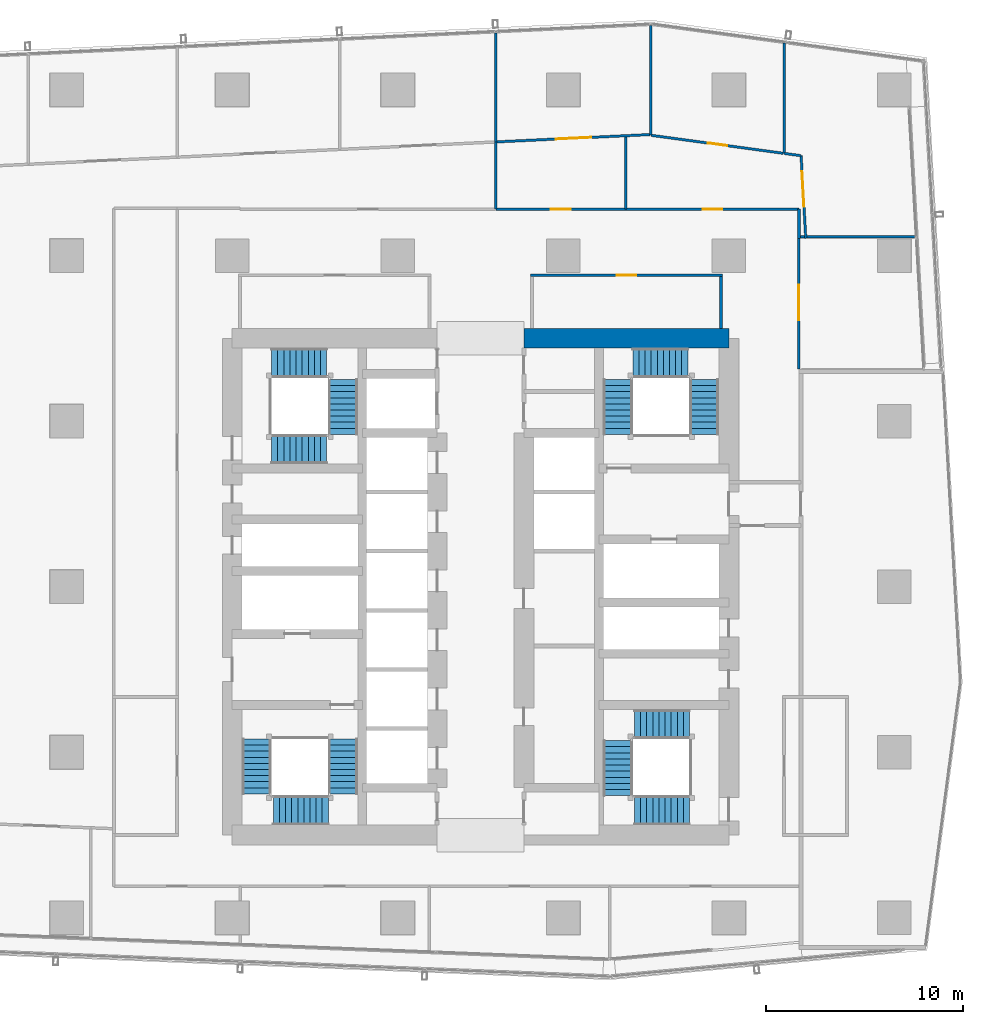
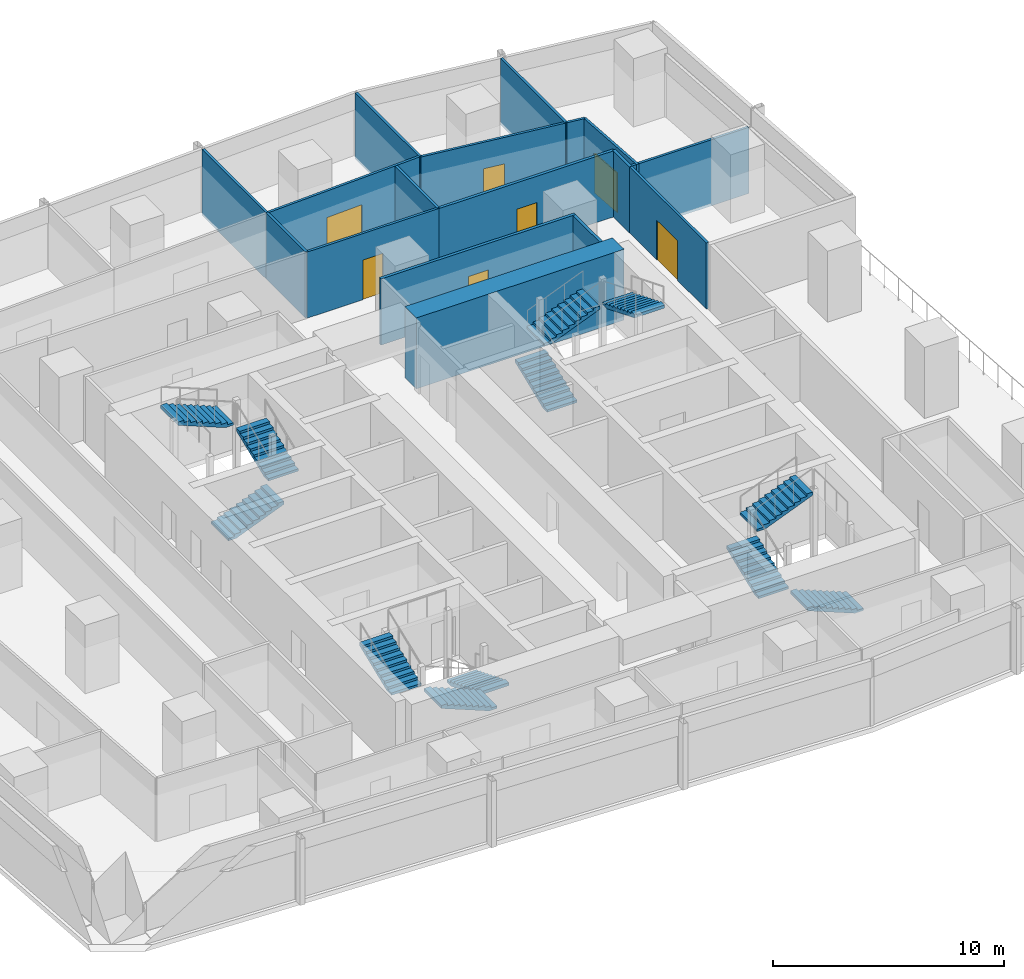
# One storey, part 27 of 34: 17 walls, 12 stair flights, 7 doors, 7 openings, 4 elements without a shape of their own.
"""IFC4 building model written with IfcOpenShell, lengths in metres."""

from ifc_helpers import new_model, si_unit, direction, frame, frame_2d, origin, place, context, subcontext, project, spatial, polyline, rectangle, outline, extrude, material, layer, layer_set, type_object, element, fill, aggregate, save


model = new_model("IFC4")

# Units and contexts
model_context = context("Model", 3, precision=1e-05, world=origin(), true_north=direction((0.0, 1.0)))
body_context = subcontext(model_context, "Body", "Model", "MODEL_VIEW")
ifc_project = project(units=[si_unit("LENGTHUNIT", "METRE"), si_unit("AREAUNIT", "SQUARE_METRE"), si_unit("VOLUMEUNIT", "CUBIC_METRE"), si_unit("PLANEANGLEUNIT", "RADIAN"), si_unit("MASSUNIT", "GRAM", prefix="KILO")], contexts=[model_context])

# Site, building, storey
site_placement = place(None, origin())
site = spatial("IfcSite", under=ifc_project, at=site_placement, CompositionType="ELEMENT")
building_placement = place(site_placement, origin())
building = spatial("IfcBuilding", under=site, at=building_placement, Name="Rekha Terrace Tower", CompositionType="ELEMENT")
storey_placement = place(building_placement, frame((0.0, 0.0, 176.449951171875)))
storey = spatial("IfcBuildingStorey", under=building, at=storey_placement, Name="L44", CompositionType="ELEMENT", Elevation=176.449951171875)

# Wall
ifc_material_1 = material(Name="Concrete M60", Category="concrete")
ifc_layer_1 = layer(ifc_material_1, 1.0)
ifc_layer_set_1 = layer_set([ifc_layer_1], Name="Concrete M60")
wall_type_1 = type_object("IfcWallType", Name="SW3 1000 core outer shear wall", PredefinedType="SHEAR", material=ifc_layer_set_1)
wall_1_placement = place(storey_placement, frame((40.0, 46.199951171875, 0.0), z_axis=(0.0, 0.0, 1.0), x_axis=(1.0, 0.0, 0.0)))
element("IfcWall", 1, at=wall_1_placement, inside=storey, type_object=wall_type_1, Name="Core wall N2 L44", PredefinedType="SHEAR", context=body_context, shape_type="SweptSolid", body=[
    extrude(rectangle(XDim=10.39990234375, YDim=1.0, at=frame_2d((5.199951171875, 0.0))), origin(), (0.0, 0.0, 1.0), 3.75),
])

# Wall, opening, door
ifc_material_2 = material(Name="Concrete block masonry, 1 hour", Category="masonry")
ifc_layer_2 = layer(ifc_material_2, 0.14990234375)
ifc_layer_set_2 = layer_set([ifc_layer_2], Name="Concrete block masonry, 1 hour")
wall_type_2 = type_object("IfcWallType", Name="WP2 150 tenancy partition", PredefinedType="PARTITIONING", material=ifc_layer_set_2)
wall_2_placement = place(storey_placement, frame((40.324951171875, 49.39990234375, 0.0), z_axis=(0.0, 0.0, 1.0), x_axis=(1.0, 0.0, 0.0)))
wall_2 = element("IfcWall", 2, at=wall_2_placement, inside=storey, type_object=wall_type_2, Name="Women's WC wall L44", PredefinedType="PARTITIONING", context=body_context, shape_type="SweptSolid", body=[
    extrude(rectangle(XDim=9.75, YDim=0.14990234375, at=frame_2d((4.875, 0.0))), origin(), (0.0, 0.0, 1.0), 3.5),
])
opening_1_placement = place(wall_2_placement, frame((4.375, 0.0, 0.0)))
opening_1 = element("IfcOpeningElement", 3, at=opening_1_placement, cuts=wall_2, Name="Opening D3", PredefinedType="OPENING", context=body_context, shape_type="SweptSolid", body=[
    extrude(rectangle(XDim=1.0, YDim=2.10009765625, at=frame_2d((0.5, 1.050048828125))), frame((0.0, 0.0849609375, 0.0), z_axis=(0.0, -1.0, 0.0), x_axis=(1.0, 0.0, 0.0)), (0.0, 0.0, 1.0), 0.169921875),
])
ifc_material_3 = material(Name="Laminated timber fire door", Category="wood")
door_type_1 = type_object("IfcDoorType", Name="D3 1000x2100 WC door", OperationType="SINGLE_SWING_LEFT", PredefinedType="DOOR", material=ifc_material_3)
door_1_placement = place(opening_1_placement, origin())
door_1 = element("IfcDoor", 4, at=door_1_placement, inside=storey, type_object=door_type_1, Name="Door women's wc L44", OperationType="SINGLE_SWING_LEFT", OverallHeight=2.10009765625, OverallWidth=1.0, PredefinedType="DOOR", context=body_context, shape_type="SweptSolid", body=[
    extrude(rectangle(XDim=1.0, YDim=2.10009765625, at=frame_2d((0.5, 1.050048828125))), frame((0.0, 0.02490234375, 0.0), z_axis=(0.0, -1.0, 0.0), x_axis=(1.0, 0.0, 0.0)), (0.0, 0.0, 1.0), 0.050048828125),
])
fill(opening_1, door_1)

# Walls
wall_3_placement = place(storey_placement, frame((50.0, 46.699951171875, 0.0), z_axis=(0.0, 0.0, 1.0), x_axis=(0.0, 1.0, 0.0)))
element("IfcWall", 5, at=wall_3_placement, inside=storey, type_object=wall_type_2, Name="Women's WC wall L44", PredefinedType="PARTITIONING", context=body_context, shape_type="SweptSolid", body=[
    extrude(rectangle(XDim=2.625, YDim=0.14990234375, at=frame_2d((1.3125, 0.0))), origin(), (0.0, 0.0, 1.0), 3.5),
])
wall_4_placement = place(storey_placement, frame((53.955078125, 51.27587890625, 0.0), z_axis=(0.0, 0.0, 1.0), x_axis=(0.0, 1.0, 0.0)))
element("IfcWall", 6, at=wall_4_placement, inside=storey, type_object=wall_type_2, Name="Partition L44-O1", PredefinedType="PARTITIONING", context=body_context, shape_type="SweptSolid", body=[
    extrude(rectangle(XDim=1.47412109375, YDim=0.14990234375, at=frame_2d((0.737060546875, 0.0))), origin(), (0.0, 0.0, 1.0), 3.5),
])

# Wall, opening, door
wall_5_placement = place(storey_placement, frame((53.955078125, 52.75, 0.0), z_axis=(0.0, 0.0, 1.0), x_axis=(-1.0, 0.0, 0.0)))
wall_5 = element("IfcWall", 7, at=wall_5_placement, inside=storey, type_object=wall_type_2, Name="Partition L44-O1", PredefinedType="PARTITIONING", context=body_context, shape_type="SweptSolid", body=[
    extrude(rectangle(XDim=8.7841796875, YDim=0.14990234375, at=frame_2d((4.39208984375, 0.0))), origin(), (0.0, 0.0, 1.0), 3.5),
])
opening_2_placement = place(wall_5_placement, frame((3.89208984375, 0.0, 0.0)))
opening_2 = element("IfcOpeningElement", 8, at=opening_2_placement, cuts=wall_5, Name="Opening D9", PredefinedType="OPENING", context=body_context, shape_type="SweptSolid", body=[
    extrude(rectangle(XDim=1.0, YDim=2.10009765625, at=frame_2d((0.5, 1.050048828125))), frame((0.0, 0.0849609375, 0.0), z_axis=(0.0, -1.0, 0.0), x_axis=(1.0, 0.0, 0.0)), (0.0, 0.0, 1.0), 0.169921875),
])
ifc_material_4 = material(Name="Timber fire door", Category="wood")
door_type_2 = type_object("IfcDoorType", Name="D9 1000x2100 office door", OperationType="SINGLE_SWING_LEFT", PredefinedType="DOOR", material=ifc_material_4)
door_2_placement = place(opening_2_placement, origin())
door_2 = element("IfcDoor", 9, at=door_2_placement, inside=storey, type_object=door_type_2, Name="Door open-plan office L44", OperationType="SINGLE_SWING_LEFT", OverallHeight=2.10009765625, OverallWidth=1.0, PredefinedType="DOOR", context=body_context, shape_type="SweptSolid", body=[
    extrude(rectangle(XDim=1.0, YDim=2.10009765625, at=frame_2d((0.5, 1.050048828125))), frame((0.0, 0.02490234375, 0.0), z_axis=(0.0, -1.0, 0.0), x_axis=(1.0, 0.0, 0.0)), (0.0, 0.0, 1.0), 0.050048828125),
])
fill(opening_2, door_2)

ifc_material_5 = material(Name="Two layers of fire-rated gypsum board each side on steel studs, acoustic quilt, 1 hour", Category="steel")
ifc_layer_3 = layer(ifc_material_5, 0.125)
ifc_layer_set_3 = layer_set([ifc_layer_3], Name="Two layers of fire-rated gypsum board each side on steel studs, acoustic quilt, 1 hour")
wall_type_3 = type_object("IfcWallType", Name="WP3 125 office partition", PredefinedType="PARTITIONING", material=ifc_layer_set_3)
wall_6_placement = place(storey_placement, frame((53.955078125, 44.638916015625, 0.0), z_axis=(0.0, 0.0, 1.0), x_axis=(0.0, 1.0, 0.0)))
wall_6 = element("IfcWall", 10, at=wall_6_placement, inside=storey, type_object=wall_type_3, Name="Partition L44-02", PredefinedType="PARTITIONING", context=body_context, shape_type="SweptSolid", body=[
    extrude(rectangle(XDim=6.636962890625, YDim=0.125, at=frame_2d((3.318359375, 0.0))), origin(), (0.0, 0.0, 1.0), 3.5),
])
opening_3_placement = place(wall_6_placement, frame((2.489013671875, 0.0, 0.0)))
opening_3 = element("IfcOpeningElement", 11, at=opening_3_placement, cuts=wall_6, Name="Opening D8", PredefinedType="OPENING", context=body_context, shape_type="SweptSolid", body=[
    extrude(rectangle(XDim=1.800048828125, YDim=2.10009765625, at=frame_2d((0.89990234375, 1.050048828125))), frame((0.0, 0.072509765625, 0.0), z_axis=(0.0, -1.0, 0.0), x_axis=(1.0, 0.0, 0.0)), (0.0, 0.0, 1.0), 0.14501953125),
])
door_type_3 = type_object("IfcDoorType", Name="D8 1800x2100 double leaf door", OperationType="DOUBLE_DOOR_SINGLE_SWING", PredefinedType="DOOR", material=ifc_material_4)
door_3_placement = place(opening_3_placement, origin())
door_3 = element("IfcDoor", 12, at=door_3_placement, inside=storey, type_object=door_type_3, Name="Door club lounge L44", OperationType="DOUBLE_DOOR_SINGLE_SWING", OverallHeight=2.10009765625, OverallWidth=1.800048828125, PredefinedType="DOOR", context=body_context, shape_type="SweptSolid", body=[
    extrude(rectangle(XDim=1.800048828125, YDim=2.10009765625, at=frame_2d((0.89990234375, 1.050048828125))), frame((0.0, 0.02490234375, 0.0), z_axis=(0.0, -1.0, 0.0), x_axis=(1.0, 0.0, 0.0)), (0.0, 0.0, 1.0), 0.050048828125),
])
fill(opening_3, door_3)

# Walls
wall_7_placement = place(storey_placement, frame((54.030029296875, 51.343017578125, 0.0), z_axis=(0.0, 0.0, 1.0), x_axis=(1.0, 0.0, 0.0)))
element("IfcWall", 13, at=wall_7_placement, inside=storey, type_object=wall_type_3, Name="Partition L44-02", PredefinedType="PARTITIONING", context=body_context, shape_type="SweptSolid", body=[
    extrude(rectangle(XDim=5.824951171875, YDim=0.125, at=frame_2d((2.91259765625, 0.0))), origin(), (0.0, 0.0, 1.0), 3.5),
])
wall_8_placement = place(storey_placement, frame((53.2041015625, 55.58203125, 0.0), z_axis=(0.0, 0.0, 1.0), x_axis=(0.0, 1.0, 0.0)))
element("IfcWall", 14, at=wall_8_placement, inside=storey, type_object=wall_type_3, Name="Partition L44-03", PredefinedType="PARTITIONING", context=body_context, shape_type="SweptSolid", body=[
    extrude(rectangle(XDim=5.60205078125, YDim=0.125, at=frame_2d((2.801025390625, 0.0))), origin(), (0.0, 0.0, 1.0), 3.5),
])

# Wall, opening, door
wall_9_placement = place(storey_placement, frame((54.300048828125, 51.277099609375, 0.0), z_axis=(0.0, 0.0, 1.0), x_axis=(-0.056501273679, 0.998402527076, 0.0)))
wall_9 = element("IfcWall", 15, at=wall_9_placement, inside=storey, type_object=wall_type_3, Name="Partition L44-03", PredefinedType="PARTITIONING", context=body_context, shape_type="SweptSolid", body=[
    extrude(rectangle(XDim=4.195556640625, YDim=0.125, at=frame_2d((2.09765625, 0.0))), origin(), (0.0, 0.0, 1.0), 3.5),
])
opening_4_placement = place(wall_9_placement, frame((1.597900390625, 0.0, 0.0)))
opening_4 = element("IfcOpeningElement", 16, at=opening_4_placement, cuts=wall_9, Name="Opening D8", PredefinedType="OPENING", context=body_context, shape_type="SweptSolid", body=[
    extrude(rectangle(XDim=1.800048828125, YDim=2.10009765625, at=frame_2d((0.89990234375, 1.050048828125))), frame((0.0, 0.072509765625, 0.0), z_axis=(0.0, -1.0, 0.0), x_axis=(1.0, 0.0, 0.0)), (0.0, 0.0, 1.0), 0.14501953125),
])
door_4_placement = place(opening_4_placement, origin())
door_4 = element("IfcDoor", 17, at=door_4_placement, inside=storey, type_object=door_type_3, Name="Door club lounge L44", OperationType="DOUBLE_DOOR_SINGLE_SWING", OverallHeight=2.10009765625, OverallWidth=1.800048828125, PredefinedType="DOOR", context=body_context, shape_type="SweptSolid", body=[
    extrude(rectangle(XDim=1.800048828125, YDim=2.10009765625, at=frame_2d((0.89990234375, 1.050048828125))), frame((0.0, 0.02490234375, 0.0), z_axis=(0.0, -1.0, 0.0), x_axis=(1.0, 0.0, 0.0)), (0.0, 0.0, 1.0), 0.050048828125),
])
fill(opening_4, door_4)

# Wall
wall_10_placement = place(storey_placement, frame((54.06298828125, 55.466064453125, 0.0), z_axis=(0.0, 0.0, 1.0), x_axis=(-0.991007579891, 0.133805742026, 0.0)))
element("IfcWall", 18, at=wall_10_placement, inside=storey, type_object=wall_type_3, Name="Partition L44-03", PredefinedType="PARTITIONING", context=body_context, shape_type="SweptSolid", body=[
    extrude(rectangle(XDim=0.86669921875, YDim=0.125, at=frame_2d((0.433349609375, 0.0))), origin(), (0.0, 0.0, 1.0), 3.5),
])

# Wall, opening, door
wall_11_placement = place(storey_placement, frame((53.14208984375, 55.591064453125, 0.0), z_axis=(0.0, 0.0, 1.0), x_axis=(-0.990873865038, 0.134792372132, 0.0)))
wall_11 = element("IfcWall", 19, at=wall_11_placement, inside=storey, type_object=wall_type_3, Name="Partition L44-04", PredefinedType="PARTITIONING", context=body_context, shape_type="SweptSolid", body=[
    extrude(rectangle(XDim=6.7578125, YDim=0.125, at=frame_2d((3.37890625, 0.0))), origin(), (0.0, 0.0, 1.0), 3.5),
])
opening_5_placement = place(wall_11_placement, frame((2.846923828125, 0.0, 0.0)))
opening_5 = element("IfcOpeningElement", 20, at=opening_5_placement, cuts=wall_11, Name="Opening D9", PredefinedType="OPENING", context=body_context, shape_type="SweptSolid", body=[
    extrude(rectangle(XDim=1.0, YDim=2.10009765625, at=frame_2d((0.5, 1.050048828125))), frame((0.0, 0.072509765625, 0.0), z_axis=(0.0, -1.0, 0.0), x_axis=(1.0, 0.0, 0.0)), (0.0, 0.0, 1.0), 0.14501953125),
])
door_5_placement = place(opening_5_placement, origin())
door_5 = element("IfcDoor", 21, at=door_5_placement, inside=storey, type_object=door_type_2, Name="Door club lounge L44", OperationType="SINGLE_SWING_LEFT", OverallHeight=2.10009765625, OverallWidth=1.0, PredefinedType="DOOR", context=body_context, shape_type="SweptSolid", body=[
    extrude(rectangle(XDim=1.0, YDim=2.10009765625, at=frame_2d((0.5, 1.050048828125))), frame((0.0, 0.02490234375, 0.0), z_axis=(0.0, -1.0, 0.0), x_axis=(1.0, 0.0, 0.0)), (0.0, 0.0, 1.0), 0.050048828125),
])
fill(opening_5, door_5)

# Walls
wall_12_placement = place(storey_placement, frame((46.445068359375, 56.52001953125, 0.0), z_axis=(0.0, 0.0, 1.0), x_axis=(0.0, 1.0, 0.0)))
element("IfcWall", 22, at=wall_12_placement, inside=storey, type_object=wall_type_3, Name="Partition L44-04", PredefinedType="PARTITIONING", context=body_context, shape_type="SweptSolid", body=[
    extrude(rectangle(XDim=5.546875, YDim=0.125, at=frame_2d((2.7734375, 0.0))), origin(), (0.0, 0.0, 1.0), 3.5),
])
wall_13_placement = place(storey_placement, frame((38.571044921875, 56.1650390625, 0.0), z_axis=(0.0, 0.0, 1.0), x_axis=(0.0, 1.0, 0.0)))
element("IfcWall", 23, at=wall_13_placement, inside=storey, type_object=wall_type_3, Name="Partition L44-05", PredefinedType="PARTITIONING", context=body_context, shape_type="SweptSolid", body=[
    extrude(rectangle(XDim=5.52587890625, YDim=0.125, at=frame_2d((2.762939453125, 0.0))), origin(), (0.0, 0.0, 1.0), 3.5),
])

# Wall, opening, door
wall_14_placement = place(storey_placement, frame((46.383056640625, 56.5380859375, 0.0), z_axis=(0.0, 0.0, 1.0), x_axis=(-0.998861772529, -0.047698630803, 0.0)))
wall_14 = element("IfcWall", 24, at=wall_14_placement, inside=storey, type_object=wall_type_3, Name="Partition L44-05", PredefinedType="PARTITIONING", context=body_context, shape_type="SweptSolid", body=[
    extrude(rectangle(XDim=7.82080078125, YDim=0.125, at=frame_2d((3.910400390625, 0.0))), origin(), (0.0, 0.0, 1.0), 3.5),
])
opening_6_placement = place(wall_14_placement, frame((2.97998046875, 0.0, 0.0)))
opening_6 = element("IfcOpeningElement", 25, at=opening_6_placement, cuts=wall_14, Name="Opening D8", PredefinedType="OPENING", context=body_context, shape_type="SweptSolid", body=[
    extrude(rectangle(XDim=1.800048828125, YDim=2.10009765625, at=frame_2d((0.89990234375, 1.050048828125))), frame((0.0, 0.072509765625, 0.0), z_axis=(0.0, -1.0, 0.0), x_axis=(1.0, 0.0, 0.0)), (0.0, 0.0, 1.0), 0.14501953125),
])
door_6_placement = place(opening_6_placement, origin())
door_6 = element("IfcDoor", 26, at=door_6_placement, inside=storey, type_object=door_type_3, Name="Door club lounge L44", OperationType="DOUBLE_DOOR_SINGLE_SWING", OverallHeight=2.10009765625, OverallWidth=1.800048828125, PredefinedType="DOOR", context=body_context, shape_type="SweptSolid", body=[
    extrude(rectangle(XDim=1.800048828125, YDim=2.10009765625, at=frame_2d((0.89990234375, 1.050048828125))), frame((0.0, 0.02490234375, 0.0), z_axis=(0.0, -1.0, 0.0), x_axis=(1.0, 0.0, 0.0)), (0.0, 0.0, 1.0), 0.050048828125),
])
fill(opening_6, door_6)

# Wall
wall_15_placement = place(storey_placement, frame((45.1708984375, 56.41796875, 0.0), z_axis=(0.0, 0.0, 1.0), x_axis=(0.0, -1.0, 0.0)))
element("IfcWall", 27, at=wall_15_placement, inside=storey, type_object=wall_type_3, Name="Partition L44-06", PredefinedType="PARTITIONING", context=body_context, shape_type="SweptSolid", body=[
    extrude(rectangle(XDim=3.66796875, YDim=0.125, at=frame_2d((1.833984375, 0.0))), origin(), (0.0, 0.0, 1.0), 3.5),
])

# Wall, opening, door
wall_16_placement = place(storey_placement, frame((45.1708984375, 52.75, 0.0), z_axis=(0.0, 0.0, 1.0), x_axis=(-1.0, 0.0, 0.0)))
wall_16 = element("IfcWall", 28, at=wall_16_placement, inside=storey, type_object=wall_type_3, Name="Partition L44-06", PredefinedType="PARTITIONING", context=body_context, shape_type="SweptSolid", body=[
    extrude(rectangle(XDim=6.599853515625, YDim=0.125, at=frame_2d((3.2998046875, 0.0))), origin(), (0.0, 0.0, 1.0), 3.5),
])
opening_7_placement = place(wall_16_placement, frame((2.800048828125, 0.0, 0.0)))
opening_7 = element("IfcOpeningElement", 29, at=opening_7_placement, cuts=wall_16, Name="Opening D9", PredefinedType="OPENING", context=body_context, shape_type="SweptSolid", body=[
    extrude(rectangle(XDim=1.0, YDim=2.10009765625, at=frame_2d((0.5, 1.050048828125))), frame((0.0, 0.072509765625, 0.0), z_axis=(0.0, -1.0, 0.0), x_axis=(1.0, 0.0, 0.0)), (0.0, 0.0, 1.0), 0.14501953125),
])
door_7_placement = place(opening_7_placement, origin())
door_7 = element("IfcDoor", 30, at=door_7_placement, inside=storey, type_object=door_type_2, Name="Door reception L44", OperationType="SINGLE_SWING_LEFT", OverallHeight=2.10009765625, OverallWidth=1.0, PredefinedType="DOOR", context=body_context, shape_type="SweptSolid", body=[
    extrude(rectangle(XDim=1.0, YDim=2.10009765625, at=frame_2d((0.5, 1.050048828125))), frame((0.0, 0.02490234375, 0.0), z_axis=(0.0, -1.0, 0.0), x_axis=(1.0, 0.0, 0.0)), (0.0, 0.0, 1.0), 0.050048828125),
])
fill(opening_7, door_7)

# Wall
wall_17_placement = place(storey_placement, frame((38.571044921875, 52.75, 0.0), z_axis=(0.0, 0.0, 1.0), x_axis=(0.0, 1.0, 0.0)))
element("IfcWall", 31, at=wall_17_placement, inside=storey, type_object=wall_type_3, Name="Partition L44-06", PredefinedType="PARTITIONING", context=body_context, shape_type="SweptSolid", body=[
    extrude(rectangle(XDim=3.4150390625, YDim=0.125, at=frame_2d((1.70751953125, 0.0))), origin(), (0.0, 0.0, 1.0), 3.5),
])

# Stair, stair flights
ifc_material_6 = material(Name="Concrete M40", Category="concrete")
stair_type = type_object("IfcStairType", Name="ST30 stair, 30 risers of 125, going 310, 1500 wide flights, 3 flights", PredefinedType="HALF_TURN_STAIR", material=ifc_material_6)
stair_1_placement = place(storey_placement, origin())
stair_1 = element("IfcStair", 32, at=stair_1_placement, inside=storey, type_object=stair_type, Name="Stair ST1 L44 to L45", PredefinedType="HALF_TURN_STAIR")
stair_flight_type = type_object("IfcStairFlightType", Name="SF10 stair flight, 10 risers of 125, going 310, 1500 wide", PredefinedType="STRAIGHT", material=ifc_material_6)
stair_flight_1_placement = place(storey_placement, frame((30.824951171875, 25.875, 0.0), z_axis=(0.0, 0.0, 1.0), x_axis=(0.0, -1.0, 0.0)))
stair_flight_1 = element("IfcStairFlight", 33, at=stair_flight_1_placement, type_object=stair_flight_type, Name="ST1 flight 1", NumberOfRisers=10, NumberOfTreads=9, PredefinedType="STRAIGHT", RiserHeight=0.125, TreadLength=0.31, context=body_context, shape_type="SweptSolid", body=[
    extrude(outline(polyline([(0.0, 0.0), (0.0, 0.125), (0.31005859375, 0.125), (0.31005859375, 0.25), (0.6201171875, 0.25), (0.6201171875, 0.375), (0.929931640625, 0.375), (0.929931640625, 0.5), (1.239990234375, 0.5), (1.239990234375, 0.625), (1.550048828125, 0.625), (1.550048828125, 0.75), (1.860107421875, 0.75), (1.860107421875, 0.875), (2.169921875, 0.875), (2.169921875, 1.0), (2.47998046875, 1.0), (2.47998046875, 1.125), (2.7900390625, 1.125), (2.7900390625, 1.25), (2.7900390625, 0.96337890625), (0.40087890625, 0.0), (0.0, 0.0)])), frame((0.0, 0.75, 0.0), z_axis=(0.0, -1.0, 0.0), x_axis=(1.0, 0.0, 0.0)), (0.0, 0.0, 1.0), 1.5),
])
stair_flight_2_placement = place(storey_placement, frame((30.074951171875, 22.25, 1.25), z_axis=(0.0, 0.0, 1.0), x_axis=(-1.0, 0.0, 0.0)))
stair_flight_2 = element("IfcStairFlight", 34, at=stair_flight_2_placement, type_object=stair_flight_type, Name="ST1 flight 2", NumberOfRisers=10, NumberOfTreads=9, PredefinedType="STRAIGHT", RiserHeight=0.125, TreadLength=0.31, context=body_context, shape_type="SweptSolid", body=[
    extrude(outline(polyline([(0.0, 0.0), (0.0, 0.125), (0.31005859375, 0.125), (0.31005859375, 0.25), (0.6201171875, 0.25), (0.6201171875, 0.375), (0.929931640625, 0.375), (0.929931640625, 0.5), (1.239990234375, 0.5), (1.239990234375, 0.625), (1.550048828125, 0.625), (1.550048828125, 0.75), (1.860107421875, 0.75), (1.860107421875, 0.875), (2.169921875, 0.875), (2.169921875, 1.0), (2.47998046875, 1.0), (2.47998046875, 1.125), (2.7900390625, 1.125), (2.7900390625, 1.25), (2.7900390625, 0.96337890625), (0.40087890625, 0.0), (0.0, 0.0)])), frame((0.0, 0.75, 0.0), z_axis=(0.0, -1.0, 0.0), x_axis=(1.0, 0.0, 0.0)), (0.0, 0.0, 1.0), 1.5),
])
stair_flight_3_placement = place(storey_placement, frame((26.449951171875, 23.0849609375, 2.5), z_axis=(0.0, 0.0, 1.0), x_axis=(0.0, 1.0, 0.0)))
stair_flight_3 = element("IfcStairFlight", 35, at=stair_flight_3_placement, type_object=stair_flight_type, Name="ST1 flight 3", NumberOfRisers=10, NumberOfTreads=9, PredefinedType="STRAIGHT", RiserHeight=0.125, TreadLength=0.31, context=body_context, shape_type="SweptSolid", body=[
    extrude(outline(polyline([(0.0, 0.0), (0.0, 0.125), (0.31005859375, 0.125), (0.31005859375, 0.25), (0.6201171875, 0.25), (0.6201171875, 0.375), (0.929931640625, 0.375), (0.929931640625, 0.5), (1.239990234375, 0.5), (1.239990234375, 0.625), (1.550048828125, 0.625), (1.550048828125, 0.75), (1.860107421875, 0.75), (1.860107421875, 0.875), (2.169921875, 0.875), (2.169921875, 1.0), (2.47998046875, 1.0), (2.47998046875, 1.125), (2.7900390625, 1.125), (2.7900390625, 1.25), (2.7900390625, 0.96337890625), (0.40087890625, 0.0), (0.0, 0.0)])), frame((0.0, 0.75, 0.0), z_axis=(0.0, -1.0, 0.0), x_axis=(1.0, 0.0, 0.0)), (0.0, 0.0, 1.0), 1.5),
])
aggregate(stair_1, [stair_flight_1, stair_flight_2, stair_flight_3])

stair_2_placement = place(storey_placement, origin())
stair_2 = element("IfcStair", 36, at=stair_2_placement, inside=storey, type_object=stair_type, Name="Stair ST2 L44 to L45", PredefinedType="HALF_TURN_STAIR")
stair_flight_4_placement = place(storey_placement, frame((44.77490234375, 41.324951171875, 0.0), z_axis=(0.0, 0.0, 1.0), x_axis=(0.0, 1.0, 0.0)))
stair_flight_4 = element("IfcStairFlight", 37, at=stair_flight_4_placement, type_object=stair_flight_type, Name="ST2 flight 1", NumberOfRisers=10, NumberOfTreads=9, PredefinedType="STRAIGHT", RiserHeight=0.125, TreadLength=0.31, context=body_context, shape_type="SweptSolid", body=[
    extrude(outline(polyline([(0.0, 0.0), (0.0, 0.125), (0.31005859375, 0.125), (0.31005859375, 0.25), (0.6201171875, 0.25), (0.6201171875, 0.375), (0.929931640625, 0.375), (0.929931640625, 0.5), (1.239990234375, 0.5), (1.239990234375, 0.625), (1.550048828125, 0.625), (1.550048828125, 0.75), (1.860107421875, 0.75), (1.860107421875, 0.875), (2.169921875, 0.875), (2.169921875, 1.0), (2.47998046875, 1.0), (2.47998046875, 1.125), (2.7900390625, 1.125), (2.7900390625, 1.25), (2.7900390625, 0.96337890625), (0.40087890625, 0.0), (0.0, 0.0)])), frame((0.0, 0.75, 0.0), z_axis=(0.0, -1.0, 0.0), x_axis=(1.0, 0.0, 0.0)), (0.0, 0.0, 1.0), 1.5),
])
stair_flight_5_placement = place(storey_placement, frame((45.52490234375, 44.949951171875, 1.25), z_axis=(0.0, 0.0, 1.0), x_axis=(1.0, 0.0, 0.0)))
stair_flight_5 = element("IfcStairFlight", 38, at=stair_flight_5_placement, type_object=stair_flight_type, Name="ST2 flight 2", NumberOfRisers=10, NumberOfTreads=9, PredefinedType="STRAIGHT", RiserHeight=0.125, TreadLength=0.31, context=body_context, shape_type="SweptSolid", body=[
    extrude(outline(polyline([(0.0, 0.0), (0.0, 0.125), (0.31005859375, 0.125), (0.31005859375, 0.25), (0.6201171875, 0.25), (0.6201171875, 0.375), (0.929931640625, 0.375), (0.929931640625, 0.5), (1.239990234375, 0.5), (1.239990234375, 0.625), (1.550048828125, 0.625), (1.550048828125, 0.75), (1.860107421875, 0.75), (1.860107421875, 0.875), (2.169921875, 0.875), (2.169921875, 1.0), (2.47998046875, 1.0), (2.47998046875, 1.125), (2.7900390625, 1.125), (2.7900390625, 1.25), (2.7900390625, 0.96337890625), (0.40087890625, 0.0), (0.0, 0.0)])), frame((0.0, 0.75, 0.0), z_axis=(0.0, -1.0, 0.0), x_axis=(1.0, 0.0, 0.0)), (0.0, 0.0, 1.0), 1.5),
])
stair_flight_6_placement = place(storey_placement, frame((49.14990234375, 44.114990234375, 2.5), z_axis=(0.0, 0.0, 1.0), x_axis=(0.0, -1.0, 0.0)))
stair_flight_6 = element("IfcStairFlight", 39, at=stair_flight_6_placement, type_object=stair_flight_type, Name="ST2 flight 3", NumberOfRisers=10, NumberOfTreads=9, PredefinedType="STRAIGHT", RiserHeight=0.125, TreadLength=0.31, context=body_context, shape_type="SweptSolid", body=[
    extrude(outline(polyline([(0.0, 0.0), (0.0, 0.125), (0.31005859375, 0.125), (0.31005859375, 0.25), (0.6201171875, 0.25), (0.6201171875, 0.375), (0.929931640625, 0.375), (0.929931640625, 0.5), (1.239990234375, 0.5), (1.239990234375, 0.625), (1.550048828125, 0.625), (1.550048828125, 0.75), (1.860107421875, 0.75), (1.860107421875, 0.875), (2.169921875, 0.875), (2.169921875, 1.0), (2.47998046875, 1.0), (2.47998046875, 1.125), (2.7900390625, 1.125), (2.7900390625, 1.25), (2.7900390625, 0.96337890625), (0.40087890625, 0.0), (0.0, 0.0)])), frame((0.0, 0.75, 0.0), z_axis=(0.0, -1.0, 0.0), x_axis=(1.0, 0.0, 0.0)), (0.0, 0.0, 1.0), 1.5),
])
aggregate(stair_2, [stair_flight_4, stair_flight_5, stair_flight_6])

stair_3_placement = place(storey_placement, origin())
stair_3 = element("IfcStair", 40, at=stair_3_placement, inside=storey, type_object=stair_type, Name="Stair ST3 L44 to L45", PredefinedType="HALF_TURN_STAIR")
stair_flight_7_placement = place(storey_placement, frame((48.39990234375, 22.25, 0.0), z_axis=(0.0, 0.0, 1.0), x_axis=(-1.0, 0.0, 0.0)))
stair_flight_7 = element("IfcStairFlight", 41, at=stair_flight_7_placement, type_object=stair_flight_type, Name="ST3 flight 1", NumberOfRisers=10, NumberOfTreads=9, PredefinedType="STRAIGHT", RiserHeight=0.125, TreadLength=0.31, context=body_context, shape_type="SweptSolid", body=[
    extrude(outline(polyline([(0.0, 0.0), (0.0, 0.125), (0.31005859375, 0.125), (0.31005859375, 0.25), (0.6201171875, 0.25), (0.6201171875, 0.375), (0.929931640625, 0.375), (0.929931640625, 0.5), (1.239990234375, 0.5), (1.239990234375, 0.625), (1.550048828125, 0.625), (1.550048828125, 0.75), (1.860107421875, 0.75), (1.860107421875, 0.875), (2.169921875, 0.875), (2.169921875, 1.0), (2.47998046875, 1.0), (2.47998046875, 1.125), (2.7900390625, 1.125), (2.7900390625, 1.25), (2.7900390625, 0.96337890625), (0.40087890625, 0.0), (0.0, 0.0)])), frame((0.0, 0.75, 0.0), z_axis=(0.0, -1.0, 0.0), x_axis=(1.0, 0.0, 0.0)), (0.0, 0.0, 1.0), 1.5),
])
stair_flight_8_placement = place(storey_placement, frame((44.77490234375, 23.0, 1.25), z_axis=(0.0, 0.0, 1.0), x_axis=(0.0, 1.0, 0.0)))
stair_flight_8 = element("IfcStairFlight", 42, at=stair_flight_8_placement, type_object=stair_flight_type, Name="ST3 flight 2", NumberOfRisers=10, NumberOfTreads=9, PredefinedType="STRAIGHT", RiserHeight=0.125, TreadLength=0.31, context=body_context, shape_type="SweptSolid", body=[
    extrude(outline(polyline([(0.0, 0.0), (0.0, 0.125), (0.31005859375, 0.125), (0.31005859375, 0.25), (0.6201171875, 0.25), (0.6201171875, 0.375), (0.929931640625, 0.375), (0.929931640625, 0.5), (1.239990234375, 0.5), (1.239990234375, 0.625), (1.550048828125, 0.625), (1.550048828125, 0.75), (1.860107421875, 0.75), (1.860107421875, 0.875), (2.169921875, 0.875), (2.169921875, 1.0), (2.47998046875, 1.0), (2.47998046875, 1.125), (2.7900390625, 1.125), (2.7900390625, 1.25), (2.7900390625, 0.96337890625), (0.40087890625, 0.0), (0.0, 0.0)])), frame((0.0, 0.75, 0.0), z_axis=(0.0, -1.0, 0.0), x_axis=(1.0, 0.0, 0.0)), (0.0, 0.0, 1.0), 1.5),
])
stair_flight_9_placement = place(storey_placement, frame((45.610107421875, 26.625, 2.5), z_axis=(0.0, 0.0, 1.0), x_axis=(1.0, 0.0, 0.0)))
stair_flight_9 = element("IfcStairFlight", 43, at=stair_flight_9_placement, type_object=stair_flight_type, Name="ST3 flight 3", NumberOfRisers=10, NumberOfTreads=9, PredefinedType="STRAIGHT", RiserHeight=0.125, TreadLength=0.31, context=body_context, shape_type="SweptSolid", body=[
    extrude(outline(polyline([(0.0, 0.0), (0.0, 0.125), (0.31005859375, 0.125), (0.31005859375, 0.25), (0.6201171875, 0.25), (0.6201171875, 0.375), (0.929931640625, 0.375), (0.929931640625, 0.5), (1.239990234375, 0.5), (1.239990234375, 0.625), (1.550048828125, 0.625), (1.550048828125, 0.75), (1.860107421875, 0.75), (1.860107421875, 0.875), (2.169921875, 0.875), (2.169921875, 1.0), (2.47998046875, 1.0), (2.47998046875, 1.125), (2.7900390625, 1.125), (2.7900390625, 1.25), (2.7900390625, 0.96337890625), (0.40087890625, 0.0), (0.0, 0.0)])), frame((0.0, 0.75, 0.0), z_axis=(0.0, -1.0, 0.0), x_axis=(1.0, 0.0, 0.0)), (0.0, 0.0, 1.0), 1.5),
])
aggregate(stair_3, [stair_flight_7, stair_flight_8, stair_flight_9])

stair_4_placement = place(storey_placement, origin())
stair_4 = element("IfcStair", 44, at=stair_4_placement, inside=storey, type_object=stair_type, Name="Stair ST4 L44 to L45", PredefinedType="HALF_TURN_STAIR")
stair_flight_10_placement = place(storey_placement, frame((27.199951171875, 40.574951171875, 0.0), z_axis=(0.0, 0.0, 1.0), x_axis=(1.0, 0.0, 0.0)))
stair_flight_10 = element("IfcStairFlight", 45, at=stair_flight_10_placement, type_object=stair_flight_type, Name="ST4 flight 1", NumberOfRisers=10, NumberOfTreads=9, PredefinedType="STRAIGHT", RiserHeight=0.125, TreadLength=0.31, context=body_context, shape_type="SweptSolid", body=[
    extrude(outline(polyline([(0.0, 0.0), (0.0, 0.125), (0.31005859375, 0.125), (0.31005859375, 0.25), (0.6201171875, 0.25), (0.6201171875, 0.375), (0.929931640625, 0.375), (0.929931640625, 0.5), (1.239990234375, 0.5), (1.239990234375, 0.625), (1.550048828125, 0.625), (1.550048828125, 0.75), (1.860107421875, 0.75), (1.860107421875, 0.875), (2.169921875, 0.875), (2.169921875, 1.0), (2.47998046875, 1.0), (2.47998046875, 1.125), (2.7900390625, 1.125), (2.7900390625, 1.25), (2.7900390625, 0.96337890625), (0.40087890625, 0.0), (0.0, 0.0)])), frame((0.0, 0.75, 0.0), z_axis=(0.0, -1.0, 0.0), x_axis=(1.0, 0.0, 0.0)), (0.0, 0.0, 1.0), 1.5),
])
stair_flight_11_placement = place(storey_placement, frame((30.824951171875, 41.324951171875, 1.25), z_axis=(0.0, 0.0, 1.0), x_axis=(0.0, 1.0, 0.0)))
stair_flight_11 = element("IfcStairFlight", 46, at=stair_flight_11_placement, type_object=stair_flight_type, Name="ST4 flight 2", NumberOfRisers=10, NumberOfTreads=9, PredefinedType="STRAIGHT", RiserHeight=0.125, TreadLength=0.31, context=body_context, shape_type="SweptSolid", body=[
    extrude(outline(polyline([(0.0, 0.0), (0.0, 0.125), (0.31005859375, 0.125), (0.31005859375, 0.25), (0.6201171875, 0.25), (0.6201171875, 0.375), (0.929931640625, 0.375), (0.929931640625, 0.5), (1.239990234375, 0.5), (1.239990234375, 0.625), (1.550048828125, 0.625), (1.550048828125, 0.75), (1.860107421875, 0.75), (1.860107421875, 0.875), (2.169921875, 0.875), (2.169921875, 1.0), (2.47998046875, 1.0), (2.47998046875, 1.125), (2.7900390625, 1.125), (2.7900390625, 1.25), (2.7900390625, 0.96337890625), (0.40087890625, 0.0), (0.0, 0.0)])), frame((0.0, 0.75, 0.0), z_axis=(0.0, -1.0, 0.0), x_axis=(1.0, 0.0, 0.0)), (0.0, 0.0, 1.0), 1.5),
])
stair_flight_12_placement = place(storey_placement, frame((29.989990234375, 44.949951171875, 2.5), z_axis=(0.0, 0.0, 1.0), x_axis=(-1.0, 0.0, 0.0)))
stair_flight_12 = element("IfcStairFlight", 47, at=stair_flight_12_placement, type_object=stair_flight_type, Name="ST4 flight 3", NumberOfRisers=10, NumberOfTreads=9, PredefinedType="STRAIGHT", RiserHeight=0.125, TreadLength=0.31, context=body_context, shape_type="SweptSolid", body=[
    extrude(outline(polyline([(0.0, 0.0), (0.0, 0.125), (0.31005859375, 0.125), (0.31005859375, 0.25), (0.6201171875, 0.25), (0.6201171875, 0.375), (0.929931640625, 0.375), (0.929931640625, 0.5), (1.239990234375, 0.5), (1.239990234375, 0.625), (1.550048828125, 0.625), (1.550048828125, 0.75), (1.860107421875, 0.75), (1.860107421875, 0.875), (2.169921875, 0.875), (2.169921875, 1.0), (2.47998046875, 1.0), (2.47998046875, 1.125), (2.7900390625, 1.125), (2.7900390625, 1.25), (2.7900390625, 0.96337890625), (0.40087890625, 0.0), (0.0, 0.0)])), frame((0.0, 0.75, 0.0), z_axis=(0.0, -1.0, 0.0), x_axis=(1.0, 0.0, 0.0)), (0.0, 0.0, 1.0), 1.5),
])
aggregate(stair_4, [stair_flight_10, stair_flight_11, stair_flight_12])

save(model, "model.ifc")
